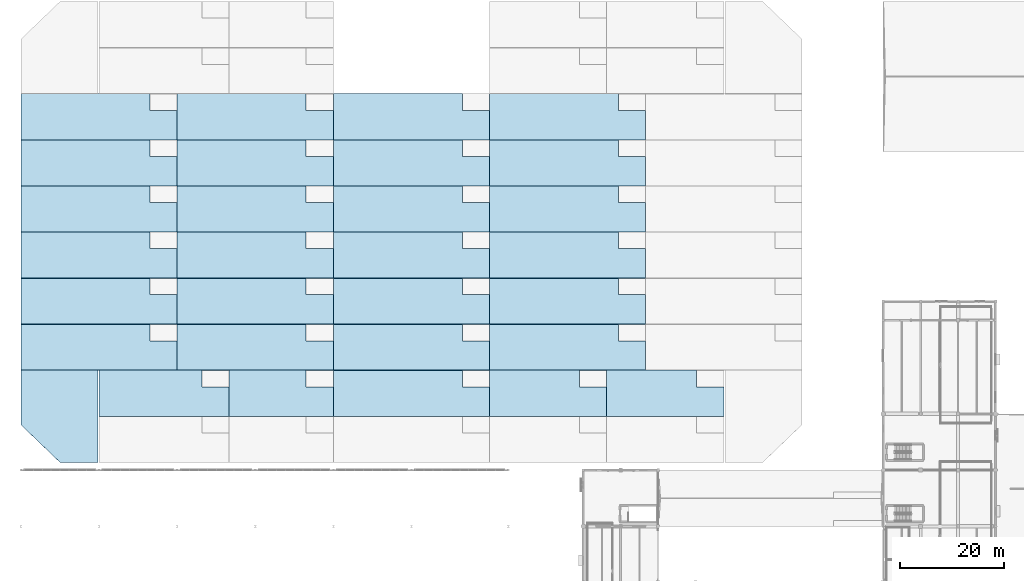
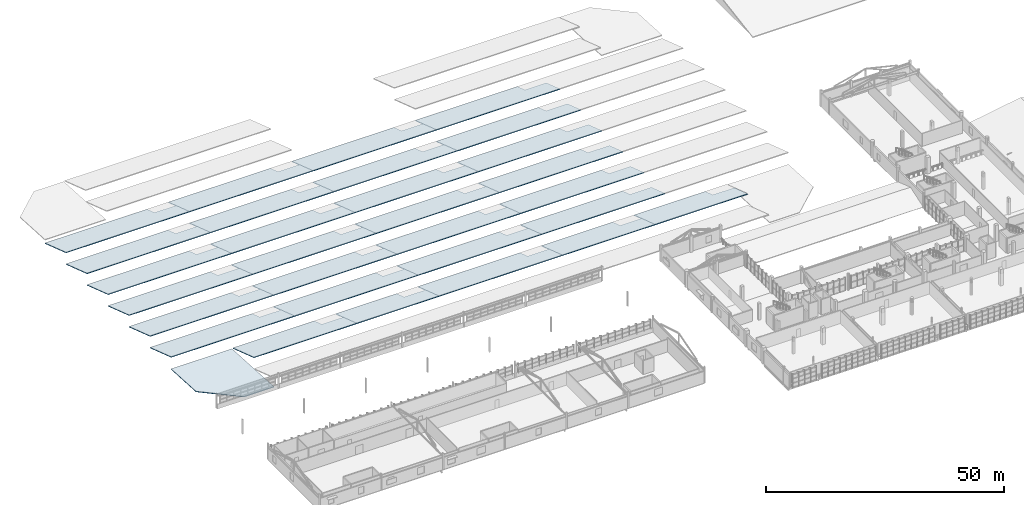
# One storey, part 49 of 90: 30 slabs.
"""IFC4 building model written with IfcOpenShell, lengths in metres."""

from ifc_helpers import new_model, si_unit, direction, frame, origin, place, context, subcontext, project, spatial, polyline, outline, extrude, material, layer, layer_set, type_object, element, save


model = new_model("IFC4")

# Units and contexts
model_context = context("Model", 3, precision=1e-05, world=origin(), true_north=direction((0.0, 1.0)))
body_context = subcontext(model_context, "Body", "Model", "MODEL_VIEW")
ifc_project = project(units=[si_unit("LENGTHUNIT", "METRE"), si_unit("AREAUNIT", "SQUARE_METRE"), si_unit("VOLUMEUNIT", "CUBIC_METRE"), si_unit("PLANEANGLEUNIT", "RADIAN"), si_unit("MASSUNIT", "GRAM", prefix="KILO")], contexts=[model_context])

# Site, building, storey
site_placement = place(None, origin())
site = spatial("IfcSite", under=ifc_project, at=site_placement, CompositionType="ELEMENT")
building_placement = place(site_placement, origin())
building = spatial("IfcBuilding", under=site, at=building_placement, Name="Solanera Park Tramway Depot", CompositionType="ELEMENT")
storey_placement = place(building_placement, frame((0.0, 0.0, 9.0)))
storey = spatial("IfcBuildingStorey", under=building, at=storey_placement, Name="L02", CompositionType="ELEMENT", Elevation=9.0)

# Slabs
ifc_material = material(Name="Concrete N40 (C40/50)", Category="concrete")
ifc_layer = layer(ifc_material, 0.159912109375)
ifc_layer_set = layer_set([ifc_layer], Name="Concrete N40 (C40/50)")
slab_type = type_object("IfcSlabType", Name="Slab Roof 160", PredefinedType="ROOF", material=ifc_layer_set)
slab_1_placement = place(storey_placement, frame((15.0, 64.35009765625, 1.561279296875), z_axis=(3.168406e-06, 0.317313986998, 0.948320533177), x_axis=(0.999999999995, -1.00538e-06, -3.004665e-06)))
element("IfcSlab", 1, at=slab_1_placement, inside=storey, type_object=slab_type, Name="Sawtooth Sloped Roof Slab Bay 02.1", PredefinedType="ROOF", context=body_context, shape_type="SweptSolid", body=[
    extrude(outline(polyline([(0.0, 0.0), (24.999999999874518, -5.293955920339377e-21), (25.000000000272056, 5.957840159721829), (19.800048828423154, 5.957840159721829), (19.800048827921213, 9.332122157136016), (-1.044025189668045e-10, 9.332122157136016), (0.0, 0.0)])), origin(), (0.0, 0.0, -1.0), 0.159912109375),
])
slab_2_placement = place(storey_placement, frame((40.0, 64.35009765625, 1.561279296875), z_axis=(4.042699e-06, 0.317314910973, 0.948320224005), x_axis=(0.999999999992, -1.282809e-06, -3.833774e-06)))
element("IfcSlab", 2, at=slab_2_placement, inside=storey, type_object=slab_type, Name="Sawtooth Sloped Roof Slab Bay 02.2", PredefinedType="ROOF", context=body_context, shape_type="SweptSolid", body=[
    extrude(outline(polyline([(0.0, 0.0), (19.999999999836568, 0.0), (20.000000000320334, 5.957840159841249), (14.800048828487826, 5.957840159841249), (14.80004882783409, 9.332122157099482), (-1.6996995201444987e-10, 9.332122157099482), (0.0, 0.0)])), origin(), (0.0, 0.0, -1.0), 0.159912109375),
])
slab_3_placement = place(storey_placement, frame((60.0, 64.35009765625, 1.561279296875), z_axis=(2.60503e-06, 0.317313391607, 0.9483207324), x_axis=(0.999999999997, -8.26611e-07, -2.470404e-06)))
element("IfcSlab", 3, at=slab_3_placement, inside=storey, type_object=slab_type, Name="Sawtooth Sloped Roof Slab Bay 02.3", PredefinedType="ROOF", context=body_context, shape_type="SweptSolid", body=[
    extrude(outline(polyline([(0.0, 0.0), (29.999999999898208, 0.0), (30.000000000234802, 5.95784015964188), (24.800048828377445, 5.95784015964188), (24.800048827970276, 9.332122157154863), (-7.057563243026259e-11, 9.332122157154863), (0.0, 0.0)])), origin(), (0.0, 0.0, -1.0), 0.159912109375),
])
for number, where, z_axis, x_axis, name in (
    (4, (90.0, 64.35009765625, 1.561279296875), (3.552552e-06, 0.317314392973, 0.948320397334), (0.999999999994, -1.127276e-06, -3.368958e-06), "Sawtooth Sloped Roof Slab Bay 02.4"),
    (5, (112.5, 64.35009765625, 1.561279296875), (3.552552e-06, 0.317314392973, 0.948320397334), (0.999999999994, -1.127276e-06, -3.368958e-06), "Sawtooth Sloped Roof Slab Bay 02.5"),
):
    element("IfcSlab", number, at=place(storey_placement, frame(where, z_axis=z_axis, x_axis=x_axis)), inside=storey, type_object=slab_type, Name=name, PredefinedType="ROOF", context=body_context, shape_type="SweptSolid", body=[
        extrude(outline(polyline([(0.0, 0.0), (22.49999999985802, 0.0), (22.500000000294694, 5.957840159774995), (17.300048828452507, 5.957840159774995), (17.30004882788458, 9.332122157121052), (-1.312532755431869e-10, 9.332122157121052), (0.0, 0.0)])), origin(), (0.0, 0.0, -1.0), 0.159912109375),
    ])
for number, where, z_axis, x_axis, name in (
    (6, (0.0, 73.199951171875, 1.561279296875), (2.106977e-06, 0.317304993117, 0.948323542541), (0.999999999998, -6.68554e-07, -1.998096e-06), "Sawtooth Sloped Roof Slab Bay 03.1"),
    (7, (30.0, 73.199951171875, 1.561279296875), (2.106977e-06, 0.317304993117, 0.948323542541), (0.999999999998, -6.68554e-07, -1.998096e-06), "Sawtooth Sloped Roof Slab Bay 03.2"),
    (8, (60.0, 73.199951171875, 1.561279296875), (2.106977e-06, 0.317304993117, 0.948323542541), (0.999999999998, -6.68554e-07, -1.998096e-06), "Sawtooth Sloped Roof Slab Bay 03.3"),
    (9, (90.0, 73.199951171875, 1.561279296875), (2.106977e-06, 0.317304993117, 0.948323542541), (0.999999999998, -6.68554e-07, -1.998096e-06), "Sawtooth Sloped Roof Slab Bay 03.4"),
):
    element("IfcSlab", number, at=place(storey_placement, frame(where, z_axis=z_axis, x_axis=x_axis)), inside=storey, type_object=slab_type, Name=name, PredefinedType="ROOF", context=body_context, shape_type="SweptSolid", body=[
        extrude(outline(polyline([(0.0, 0.0), (29.99999999993341, 3.1763735522036263e-21), (30.000000000153605, 5.958071682566316), (24.800048828290144, 5.958071682566316), (24.800048828023783, 9.33235368133121), (-4.616884194204085e-11, 9.33235368133121), (0.0, 0.0)])), origin(), (0.0, 0.0, -1.0), 0.159912109375),
    ])
for number, where, z_axis, x_axis, name in (
    (10, (0.0, 82.050048828125, 1.561279296875), (2.60503e-06, 0.317313391607, 0.9483207324), (0.999999999997, -8.26611e-07, -2.470404e-06), "Sawtooth Sloped Roof Slab Bay 04.1"),
    (11, (30.0, 82.050048828125, 1.561279296875), (2.60503e-06, 0.317313391607, 0.9483207324), (0.999999999997, -8.26611e-07, -2.470404e-06), "Sawtooth Sloped Roof Slab Bay 04.2"),
    (12, (60.0, 82.050048828125, 1.561279296875), (2.60503e-06, 0.317313391607, 0.9483207324), (0.999999999997, -8.26611e-07, -2.470404e-06), "Sawtooth Sloped Roof Slab Bay 04.3"),
    (13, (90.0, 82.050048828125, 1.561279296875), (2.60503e-06, 0.317313391607, 0.9483207324), (0.999999999997, -8.26611e-07, -2.470404e-06), "Sawtooth Sloped Roof Slab Bay 04.4"),
):
    element("IfcSlab", number, at=place(storey_placement, frame(where, z_axis=z_axis, x_axis=x_axis)), inside=storey, type_object=slab_type, Name=name, PredefinedType="ROOF", context=body_context, shape_type="SweptSolid", body=[
        extrude(outline(polyline([(0.0, 0.0), (29.999999999898208, 0.0), (30.000000000234802, 5.95784015964188), (24.800048828377445, 5.95784015964188), (24.800048827970276, 9.332122157154863), (-7.057563243026259e-11, 9.332122157154863), (0.0, 0.0)])), origin(), (0.0, 0.0, -1.0), 0.159912109375),
    ])
for number, where, z_axis, x_axis, name in (
    (14, (0.0, 90.89990234375, 1.561279296875), (2.106977e-06, 0.317304993117, 0.948323542541), (0.999999999998, -6.68554e-07, -1.998096e-06), "Sawtooth Sloped Roof Slab Bay 05.1"),
    (15, (30.0, 90.89990234375, 1.561279296875), (2.106977e-06, 0.317304993117, 0.948323542541), (0.999999999998, -6.68554e-07, -1.998096e-06), "Sawtooth Sloped Roof Slab Bay 05.2"),
    (16, (60.0, 90.89990234375, 1.561279296875), (2.106977e-06, 0.317304993117, 0.948323542541), (0.999999999998, -6.68554e-07, -1.998096e-06), "Sawtooth Sloped Roof Slab Bay 05.3"),
    (17, (90.0, 90.89990234375, 1.561279296875), (2.106977e-06, 0.317304993117, 0.948323542541), (0.999999999998, -6.68554e-07, -1.998096e-06), "Sawtooth Sloped Roof Slab Bay 05.4"),
):
    element("IfcSlab", number, at=place(storey_placement, frame(where, z_axis=z_axis, x_axis=x_axis)), inside=storey, type_object=slab_type, Name=name, PredefinedType="ROOF", context=body_context, shape_type="SweptSolid", body=[
        extrude(outline(polyline([(0.0, 0.0), (29.99999999993341, 3.1763735522036263e-21), (30.000000000153605, 5.958071682566316), (24.800048828290144, 5.958071682566316), (24.800048828023783, 9.33235368133121), (-4.616884194204085e-11, 9.33235368133121), (0.0, 0.0)])), origin(), (0.0, 0.0, -1.0), 0.159912109375),
    ])
for number, where, z_axis, x_axis, name in (
    (18, (0.0, 99.75, 1.561279296875), (3.484427e-06, 0.317306448811, 0.948323055467), (0.999999999994, -1.105631e-06, -3.304362e-06), "Sawtooth Sloped Roof Slab Bay 06.1"),
    (19, (30.0, 99.75, 1.561279296875), (3.484427e-06, 0.317306448811, 0.948323055467), (0.999999999994, -1.105631e-06, -3.304362e-06), "Sawtooth Sloped Roof Slab Bay 06.2"),
    (20, (60.0, 99.75, 1.561279296875), (3.484427e-06, 0.317306448811, 0.948323055467), (0.999999999994, -1.105631e-06, -3.304362e-06), "Sawtooth Sloped Roof Slab Bay 06.3"),
    (21, (90.0, 99.75, 1.561279296875), (3.484427e-06, 0.317306448811, 0.948323055467), (0.999999999994, -1.105631e-06, -3.304362e-06), "Sawtooth Sloped Roof Slab Bay 06.4"),
):
    element("IfcSlab", number, at=place(storey_placement, frame(where, z_axis=z_axis, x_axis=x_axis)), inside=storey, type_object=slab_type, Name=name, PredefinedType="ROOF", context=body_context, shape_type="SweptSolid", body=[
        extrude(outline(polyline([(0.0, 0.0), (29.99999999981788, 0.0), (30.000000000420087, 5.957840158536251), (24.800048828576656, 5.957840158536251), (24.800048827848183, 9.332353681286579), (-1.2626762391843352e-10, 9.332353681286579), (0.0, 0.0)])), origin(), (0.0, 0.0, -1.0), 0.159912109375),
    ])
for number, where, z_axis, x_axis, name in (
    (22, (0.0, 108.60009765625, 1.561279296875), (2.60503e-06, 0.317313391607, 0.9483207324), (0.999999999997, -8.26611e-07, -2.470404e-06), "Sawtooth Sloped Roof Slab Bay 07.1"),
    (23, (30.0, 108.60009765625, 1.561279296875), (2.60503e-06, 0.317313391607, 0.9483207324), (0.999999999997, -8.26611e-07, -2.470404e-06), "Sawtooth Sloped Roof Slab Bay 07.2"),
    (24, (60.0, 108.60009765625, 1.561279296875), (2.60503e-06, 0.317313391607, 0.9483207324), (0.999999999997, -8.26611e-07, -2.470404e-06), "Sawtooth Sloped Roof Slab Bay 07.3"),
    (25, (90.0, 108.60009765625, 1.561279296875), (2.60503e-06, 0.317313391607, 0.9483207324), (0.999999999997, -8.26611e-07, -2.470404e-06), "Sawtooth Sloped Roof Slab Bay 07.4"),
):
    element("IfcSlab", number, at=place(storey_placement, frame(where, z_axis=z_axis, x_axis=x_axis)), inside=storey, type_object=slab_type, Name=name, PredefinedType="ROOF", context=body_context, shape_type="SweptSolid", body=[
        extrude(outline(polyline([(0.0, 0.0), (29.999999999898208, 0.0), (30.000000000234802, 5.95784015964188), (24.800048828377445, 5.95784015964188), (24.800048827970276, 9.332122157154863), (-7.057563243026259e-11, 9.332122157154863), (0.0, 0.0)])), origin(), (0.0, 0.0, -1.0), 0.159912109375),
    ])
for number, where, z_axis, x_axis, name in (
    (26, (0.0, 117.449951171875, 1.561279296875), (2.106977e-06, 0.317304993117, 0.948323542541), (0.999999999998, -6.68554e-07, -1.998096e-06), "Sawtooth Sloped Roof Slab Bay 08.1"),
    (27, (30.0, 117.449951171875, 1.561279296875), (2.106977e-06, 0.317304993117, 0.948323542541), (0.999999999998, -6.68554e-07, -1.998096e-06), "Sawtooth Sloped Roof Slab Bay 08.2"),
    (28, (60.0, 117.449951171875, 1.561279296875), (2.106977e-06, 0.317304993117, 0.948323542541), (0.999999999998, -6.68554e-07, -1.998096e-06), "Sawtooth Sloped Roof Slab Bay 08.3"),
    (29, (90.0, 117.449951171875, 1.561279296875), (2.106977e-06, 0.317304993117, 0.948323542541), (0.999999999998, -6.68554e-07, -1.998096e-06), "Sawtooth Sloped Roof Slab Bay 08.4"),
):
    element("IfcSlab", number, at=place(storey_placement, frame(where, z_axis=z_axis, x_axis=x_axis)), inside=storey, type_object=slab_type, Name=name, PredefinedType="ROOF", context=body_context, shape_type="SweptSolid", body=[
        extrude(outline(polyline([(0.0, 0.0), (29.99999999993341, 3.1763735522036263e-21), (30.000000000153605, 5.958071682566316), (24.800048828290144, 5.958071682566316), (24.800048828023783, 9.33235368133121), (-4.616884194204085e-11, 9.33235368133121), (0.0, 0.0)])), origin(), (0.0, 0.0, -1.0), 0.159912109375),
    ])
slab_4_placement = place(storey_placement, frame((7.5, 55.5, -0.550048828125), z_axis=(1.496837e-06, 0.056408010238, 0.99840780064), x_axis=(0.999999999999, -8.4434e-08, -1.494454e-06)))
element("IfcSlab", 30, at=slab_4_placement, inside=storey, type_object=slab_type, Name="V1 Chamfered Corner Roof Slab SW", PredefinedType="ROOF", context=body_context, shape_type="SweptSolid", body=[
    extrude(outline(polyline([(0.0, 0.0), (7.280029296866845, 0.0), (7.28002929685004, 17.728177331204503), (-7.500000000008403, 17.728177331204503), (-7.500000000057829, 7.211430711367934), (0.0, 0.0)])), origin(), (0.0, 0.0, -1.0), 0.159912109375),
])

save(model, "model.ifc")
